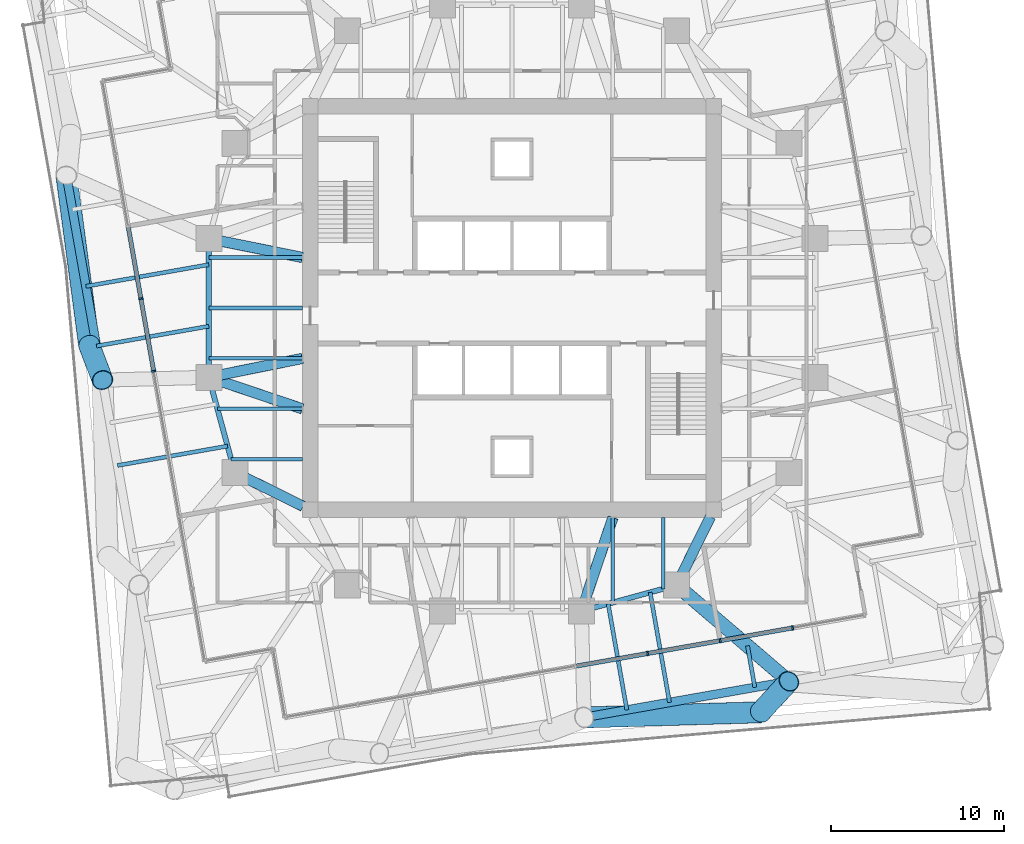
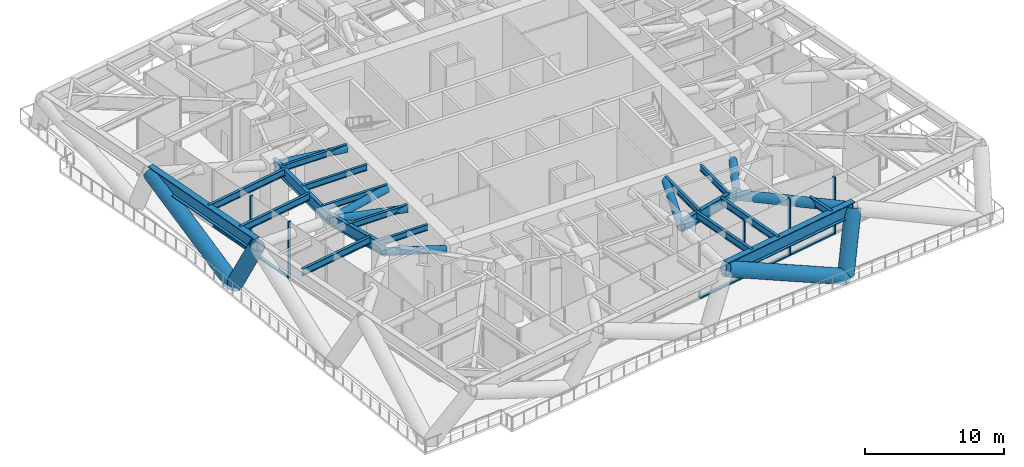
# One storey, part 3 of 15: 21 members, 18 beams, 2 elements without a shape of their own.
"""IFC4 building model written with IfcOpenShell, lengths in metres."""

from ifc_helpers import new_model, si_unit, direction, frame, origin, origin_2d, place, context, subcontext, project, spatial, rectangle, hollow_circle, i_section, extrude, material, material_profile, profile_set, type_object, element, aggregate, save


model = new_model("IFC4")

# Units and contexts
model_context = context("Model", 3, precision=1e-05, world=origin(), true_north=direction((0.0, 1.0)))
body_context = subcontext(model_context, "Body", "Model", "MODEL_VIEW")
ifc_project = project(units=[si_unit("LENGTHUNIT", "METRE"), si_unit("AREAUNIT", "SQUARE_METRE"), si_unit("VOLUMEUNIT", "CUBIC_METRE"), si_unit("PLANEANGLEUNIT", "RADIAN"), si_unit("MASSUNIT", "GRAM", prefix="KILO")], contexts=[model_context])

# Site, building, storey
site_placement = place(None, origin())
site = spatial("IfcSite", under=ifc_project, at=site_placement, CompositionType="ELEMENT")
building_placement = place(site_placement, origin())
building = spatial("IfcBuilding", under=site, at=building_placement, Name="Torsade Residences", CompositionType="ELEMENT")
storey_placement = place(building_placement, frame((0.0, 0.0, 74.39990234375)))
storey = spatial("IfcBuildingStorey", under=building, at=storey_placement, Name="L20", CompositionType="ELEMENT", Elevation=74.39990234375)

# Beams
ifc_material_1 = material(Name="Steel grade 300", Category="steel")
ifc_material_profile_1 = material_profile(ifc_material_1, i_section(OverallWidth=0.208984375, OverallDepth=0.528076171875, WebThickness=0.009521484375, FlangeThickness=0.01318359375, FilletRadius=0.013916015625, at=origin_2d()), Name="530UB82.0")
ifc_profile_set_1 = profile_set([ifc_material_profile_1], Name="Steel grade 300")
beam_type_1 = type_object("IfcBeamType", Name="INNER FLOOR BEAM 530UB82.0", PredefinedType="JOIST", material=ifc_profile_set_1)
beam_1_placement = place(storey_placement, frame((48.737548828125, 17.89990234375, 4.586181640625), z_axis=(0.0, -1.0, 0.0), x_axis=(1.0, 0.0, 0.0)))
element("IfcBeam", 1, at=beam_1_placement, inside=storey, type_object=beam_type_1, Name="Inner floor beam IS01 L21", PredefinedType="JOIST", context=body_context, shape_type="SweptSolid", body=[
    extrude(i_section(OverallWidth=0.208984375, OverallDepth=0.528076171875, WebThickness=0.009521484375, FlangeThickness=0.01318359375, FilletRadius=0.013916015625, at=origin_2d()), origin(), (0.0, 0.0, 1.0), 4.10791015625),
])
beam_2_placement = place(storey_placement, frame((45.824951171875, 17.89990234375, 4.586181640625), z_axis=(0.0, -1.0, 0.0), x_axis=(1.0, 0.0, 0.0)))
element("IfcBeam", 2, at=beam_2_placement, inside=storey, type_object=beam_type_1, Name="Inner floor beam IS02 L21", PredefinedType="JOIST", context=body_context, shape_type="SweptSolid", body=[
    extrude(i_section(OverallWidth=0.208984375, OverallDepth=0.528076171875, WebThickness=0.009521484375, FlangeThickness=0.01318359375, FilletRadius=0.013916015625, at=origin_2d()), origin(), (0.0, 0.0, 1.0), 4.902099609375),
])
for number, where, z_axis, x_axis, name in (
    (3, (27.89990234375, 32.91259765625, 4.586181640625), (-1.0, 0.0, 0.0), (0.0, -1.0, 0.0), "Inner floor beam IW03 L21"),
    (4, (27.89990234375, 30.0, 4.586181640625), (-1.0, 0.0, 0.0), (0.0, -1.0, 0.0), "Inner floor beam IW04 L21"),
    (5, (27.89990234375, 27.08740234375, 4.586181640625), (-1.0, 0.0, 0.0), (0.0, -1.0, 0.0), "Inner floor beam IW05 L21"),
):
    element("IfcBeam", number, at=place(storey_placement, frame(where, z_axis=z_axis, x_axis=x_axis)), inside=storey, type_object=beam_type_1, Name=name, PredefinedType="JOIST", context=body_context, shape_type="SweptSolid", body=[
        extrude(i_section(OverallWidth=0.208984375, OverallDepth=0.528076171875, WebThickness=0.009521484375, FlangeThickness=0.01318359375, FilletRadius=0.013916015625, at=origin_2d()), origin(), (0.0, 0.0, 1.0), 5.39990234375),
    ])
beam_3_placement = place(storey_placement, frame((27.89990234375, 24.175048828125, 4.586181640625), z_axis=(-1.0, 0.0, 0.0), x_axis=(0.0, -1.0, 0.0)))
element("IfcBeam", 6, at=beam_3_placement, inside=storey, type_object=beam_type_1, Name="Inner floor beam IW06 L21", PredefinedType="JOIST", context=body_context, shape_type="SweptSolid", body=[
    extrude(i_section(OverallWidth=0.208984375, OverallDepth=0.528076171875, WebThickness=0.009521484375, FlangeThickness=0.01318359375, FilletRadius=0.013916015625, at=origin_2d()), origin(), (0.0, 0.0, 1.0), 4.902099609375),
])
beam_4_placement = place(storey_placement, frame((27.89990234375, 21.262451171875, 4.586181640625), z_axis=(-1.0, 0.0, 0.0), x_axis=(0.0, -1.0, 0.0)))
element("IfcBeam", 7, at=beam_4_placement, inside=storey, type_object=beam_type_1, Name="Inner floor beam IW07 L21", PredefinedType="JOIST", context=body_context, shape_type="SweptSolid", body=[
    extrude(i_section(OverallWidth=0.208984375, OverallDepth=0.528076171875, WebThickness=0.009521484375, FlangeThickness=0.01318359375, FilletRadius=0.013916015625, at=origin_2d()), origin(), (0.0, 0.0, 1.0), 4.10791015625),
])
ifc_material_2 = material(Name="Steel grade 300", Category="steel")
ifc_material_profile_2 = material_profile(ifc_material_2, i_section(OverallWidth=0.300048828125, OverallDepth=1.0, WebThickness=0.01611328125, FlangeThickness=0.028076171875, at=origin_2d()), Name="1000WB215")
ifc_profile_set_2 = profile_set([ifc_material_profile_2], Name="Steel grade 300")
beam_type_2 = type_object("IfcBeamType", Name="RING GIRDER 1000WB215", PredefinedType="BEAM", material=ifc_profile_set_2)
beam_5_placement = place(storey_placement, frame((22.5, 34.0, 4.35009765625), z_axis=(0.0, -1.0, 0.0), x_axis=(1.0, 0.0, 0.0)))
element("IfcBeam", 8, at=beam_5_placement, inside=storey, type_object=beam_type_2, Name="Ring girder IR09 L21", PredefinedType="BEAM", context=body_context, shape_type="SweptSolid", body=[
    extrude(i_section(OverallWidth=0.300048828125, OverallDepth=1.0, WebThickness=0.01611328125, FlangeThickness=0.028076171875, at=origin_2d()), origin(), (0.0, 0.0, 1.0), 8.0),
])
for number, where, z_axis, x_axis, name in (
    (9, (22.5, 26.0, 4.35009765625), (0.263117405792, -0.964763821238, 0.0), (0.964763821238, 0.263117405792, 0.0), "Ring girder IR10 L21"),
    (10, (44.0, 12.5, 4.35009765625), (0.964763821238, 0.263117405792, 0.0), (-0.263117405792, 0.964763821238, 0.0), "Ring girder IR14 L21"),
):
    element("IfcBeam", number, at=place(storey_placement, frame(where, z_axis=z_axis, x_axis=x_axis)), inside=storey, type_object=beam_type_2, Name=name, PredefinedType="BEAM", context=body_context, shape_type="SweptSolid", body=[
        extrude(i_section(OverallWidth=0.300048828125, OverallDepth=1.0, WebThickness=0.01611328125, FlangeThickness=0.028076171875, at=origin_2d()), origin(), (0.0, 0.0, 1.0), 5.700927734375),
    ])
ifc_material_3 = material(Name="Steel grade 300", Category="steel")
ifc_material_profile_3 = material_profile(ifc_material_3, i_section(OverallWidth=0.22900390625, OverallDepth=0.612060546875, WebThickness=0.011962890625, FlangeThickness=0.01953125, FilletRadius=0.013916015625, at=origin_2d()), Name="610UB125")
ifc_profile_set_3 = profile_set([ifc_material_profile_3], Name="Steel grade 300")
beam_type_3 = type_object("IfcBeamType", Name="SECONDARY BEAM 610UB125", PredefinedType="JOIST", material=ifc_profile_set_3)
beam_6_placement = place(storey_placement, frame((46.629638671875, 6.798828125, 4.544189453125), z_axis=(-0.173655425542, 0.984806474989, 0.0), x_axis=(-0.984806474989, -0.173655425542, 0.0)))
element("IfcBeam", 11, at=beam_6_placement, inside=storey, type_object=beam_type_3, Name="Floor beam FS07 L21", PredefinedType="JOIST", context=body_context, shape_type="SweptSolid", body=[
    extrude(i_section(OverallWidth=0.22900390625, OverallDepth=0.612060546875, WebThickness=0.011962890625, FlangeThickness=0.01953125, FilletRadius=0.013916015625, at=origin_2d()), origin(), (0.0, 0.0, 1.0), 6.21826171875),
])
beam_7_placement = place(storey_placement, frame((49.091552734375, 7.23291015625, 4.544189453125), z_axis=(-0.17363198078, 0.984810608823, 0.0), x_axis=(-0.984810608823, -0.17363198078, 0.0)))
element("IfcBeam", 12, at=beam_7_placement, inside=storey, type_object=beam_type_3, Name="Floor beam FS08 L21", PredefinedType="JOIST", context=body_context, shape_type="SweptSolid", body=[
    extrude(i_section(OverallWidth=0.22900390625, OverallDepth=0.612060546875, WebThickness=0.011962890625, FlangeThickness=0.01953125, FilletRadius=0.013916015625, at=origin_2d()), origin(), (0.0, 0.0, 1.0), 6.4482421875),
])
beam_8_placement = place(storey_placement, frame((54.015625, 8.10107421875, 4.544189453125), z_axis=(-0.173687967535, 0.984800736156, 0.0), x_axis=(-0.984800736156, -0.173687967535, 0.0)))
element("IfcBeam", 13, at=beam_8_placement, inside=storey, type_object=beam_type_3, Name="Floor beam FS09 L21", PredefinedType="JOIST", context=body_context, shape_type="SweptSolid", body=[
    extrude(i_section(OverallWidth=0.22900390625, OverallDepth=0.612060546875, WebThickness=0.011962890625, FlangeThickness=0.01953125, FilletRadius=0.013916015625, at=origin_2d()), origin(), (0.0, 0.0, 1.0), 2.431640625),
])
beam_9_placement = place(storey_placement, frame((15.40966796875, 31.248779296875, 4.544189453125), z_axis=(0.984807104535, 0.173651855324, 0.0), x_axis=(-0.173651855324, 0.984807104535, 0.0)))
element("IfcBeam", 14, at=beam_9_placement, inside=storey, type_object=beam_type_3, Name="Floor beam FW05 L21", PredefinedType="JOIST", context=body_context, shape_type="SweptSolid", body=[
    extrude(i_section(OverallWidth=0.22900390625, OverallDepth=0.612060546875, WebThickness=0.011962890625, FlangeThickness=0.01953125, FilletRadius=0.013916015625, at=origin_2d()), origin(), (0.0, 0.0, 1.0), 7.19970703125),
])
beam_10_placement = place(storey_placement, frame((16.017333984375, 27.802001953125, 4.544189453125), z_axis=(0.984807818459, 0.173647806501, 0.0), x_axis=(-0.173647806501, 0.984807818459, 0.0)))
element("IfcBeam", 15, at=beam_10_placement, inside=storey, type_object=beam_type_3, Name="Floor beam FW06 L21", PredefinedType="JOIST", context=body_context, shape_type="SweptSolid", body=[
    extrude(i_section(OverallWidth=0.22900390625, OverallDepth=0.612060546875, WebThickness=0.011962890625, FlangeThickness=0.01953125, FilletRadius=0.013916015625, at=origin_2d()), origin(), (0.0, 0.0, 1.0), 6.582763671875),
])
beam_11_placement = place(storey_placement, frame((17.23291015625, 20.908447265625, 4.544189453125), z_axis=(0.984810608823, 0.17363198078, 0.0), x_axis=(-0.17363198078, 0.984810608823, 0.0)))
element("IfcBeam", 16, at=beam_11_placement, inside=storey, type_object=beam_type_3, Name="Floor beam FW08 L21", PredefinedType="JOIST", context=body_context, shape_type="SweptSolid", body=[
    extrude(i_section(OverallWidth=0.22900390625, OverallDepth=0.612060546875, WebThickness=0.011962890625, FlangeThickness=0.01953125, FilletRadius=0.013916015625, at=origin_2d()), origin(), (0.0, 0.0, 1.0), 6.4482421875),
])

# Members
ifc_material_4 = material(Name="Steel grade 450", Category="steel")
ifc_material_profile_4 = material_profile(ifc_material_4, hollow_circle(Radius=0.304931640625, WallThickness=0.01611328125, at=origin_2d()), Name="610.0x16.0CHS")
ifc_profile_set_4 = profile_set([ifc_material_profile_4], Name="Steel grade 450")
member_type_1 = type_object("IfcMemberType", Name="TRANSFER FLOOR BRACE 610.0x16.0CHS", PredefinedType="BRACE", material=ifc_profile_set_4)
for number, where, z_axis, x_axis, name in (
    (17, (22.5, 34.0, 4.25), (0.97976207845, -0.197299045909, 0.03375434957), (0.197411538983, 0.980320704809, 0.0), "Transfer floor brace TT2 top IR09IW03"),
    (18, (22.5, 26.0, 4.25), (0.97976207845, 0.197299045909, 0.03375434957), (-0.197411538983, 0.980320704809, 0.0), "Transfer floor brace TT2 top IR10IW05"),
):
    element("IfcMember", number, at=place(storey_placement, frame(where, z_axis=z_axis, x_axis=x_axis)), inside=storey, type_object=member_type_1, Name=name, PredefinedType="BRACE", context=body_context, shape_type="SweptSolid", body=[
        extrude(hollow_circle(Radius=0.304931640625, WallThickness=0.01611328125, at=origin_2d()), origin(), (0.0, 0.0, 1.0), 5.511474609375),
    ])
member_1_placement = place(storey_placement, frame((22.5, 26.0, 4.25), z_axis=(0.946855969774, -0.319999474368, 0.032620682203), x_axis=(0.320169867513, 0.947360151124, 0.0)))
element("IfcMember", 19, at=member_1_placement, inside=storey, type_object=member_type_1, Name="Transfer floor brace TT2 top IR10IW06", PredefinedType="BRACE", context=body_context, shape_type="SweptSolid", body=[
    extrude(hollow_circle(Radius=0.304931640625, WallThickness=0.01611328125, at=origin_2d()), origin(), (0.0, 0.0, 1.0), 5.702880859375),
])
member_2_placement = place(storey_placement, frame((24.0, 20.5, 4.25), z_axis=(0.896469701914, -0.443105036702, 0.0), x_axis=(0.443105036702, 0.896469701914, 0.0)))
element("IfcMember", 20, at=member_2_placement, inside=storey, type_object=member_type_1, Name="Transfer floor brace TT2 top IR11C", PredefinedType="BRACE", context=body_context, shape_type="SweptSolid", body=[
    extrude(hollow_circle(Radius=0.304931640625, WallThickness=0.01611328125, at=origin_2d()), origin(), (0.0, 0.0, 1.0), 4.40234375),
])
member_3_placement = place(storey_placement, frame((44.0, 12.5, 4.25), z_axis=(0.319999474368, 0.946855969774, 0.032620682203), x_axis=(-0.947360151124, 0.320169867513, 0.0)))
element("IfcMember", 21, at=member_3_placement, inside=storey, type_object=member_type_1, Name="Transfer floor brace TT2 top IR14IS02", PredefinedType="BRACE", context=body_context, shape_type="SweptSolid", body=[
    extrude(hollow_circle(Radius=0.304931640625, WallThickness=0.01611328125, at=origin_2d()), origin(), (0.0, 0.0, 1.0), 5.702880859375),
])
member_4_placement = place(storey_placement, frame((49.5, 14.0, 4.25), z_axis=(0.443105036702, 0.896469701914, 0.0), x_axis=(-0.896469701914, 0.443105036702, 0.0)))
element("IfcMember", 22, at=member_4_placement, inside=storey, type_object=member_type_1, Name="Transfer floor brace TT2 top IR15C", PredefinedType="BRACE", context=body_context, shape_type="SweptSolid", body=[
    extrude(hollow_circle(Radius=0.304931640625, WallThickness=0.01611328125, at=origin_2d()), origin(), (0.0, 0.0, 1.0), 4.40234375),
])
ifc_material_5 = material(Name="Steel grade 450", Category="steel")
ifc_material_profile_5 = material_profile(ifc_material_5, hollow_circle(Radius=0.406494140625, WallThickness=0.02490234375, at=origin_2d()), Name="813.0x25.0CHS")
ifc_profile_set_5 = profile_set([ifc_material_profile_5], Name="Steel grade 450")
member_type_2 = type_object("IfcMemberType", Name="TRANSFER FLOOR STRUT 813.0x25.0CHS", PredefinedType="STRUT", material=ifc_profile_set_5)
member_5_placement = place(storey_placement, frame((55.9853515625, 8.448486328125, 4.25), z_axis=(-0.759682384585, 0.650294298415, 0.0), x_axis=(-0.650294298415, -0.759682384585, 0.0)))
element("IfcMember", 23, at=member_5_placement, inside=storey, type_object=member_type_2, Name="Transfer floor strut TT2 top 04IR15", PredefinedType="STRUT", context=body_context, shape_type="SweptSolid", body=[
    extrude(hollow_circle(Radius=0.406494140625, WallThickness=0.02490234375, at=origin_2d()), origin(), (0.0, 0.0, 1.0), 8.536865234375),
])

# Curtain wall, members
ifc_material_6 = material(Name="Aluminium and glass", Category="aluminium")
curtain_wall_type = type_object("IfcCurtainWallType", Name="TRANSFER LEVEL CURTAIN WALL LOW ZONE", PredefinedType="NOTDEFINED", material=ifc_material_6)
curtain_wall_1_placement = place(storey_placement, origin())
curtain_wall_1 = element("IfcCurtainWall", 24, at=curtain_wall_1_placement, inside=storey, type_object=curtain_wall_type, Name="Curtain wall L20 face 1", PredefinedType="NOTDEFINED")
ifc_material_7 = material(Name="Aluminium mullion", Category="aluminium")
ifc_material_profile_6 = material_profile(ifc_material_7, rectangle(XDim=0.25, YDim=0.10009765625, at=origin_2d()), Name="TRANSFER LEVEL CURTAIN WALL MULLION 250x100")
ifc_profile_set_6 = profile_set([ifc_material_profile_6], Name="Aluminium mullion")
member_type_3 = type_object("IfcMemberType", Name="TRANSFER LEVEL CURTAIN WALL MULLION 250x100", PredefinedType="MULLION", material=ifc_profile_set_6)
member_6_placement = place(storey_placement, frame((47.83203125, 10.05712890625, 0.0), z_axis=(0.0, 0.0, 1.0), x_axis=(-0.173648174504, 0.98480775357, 0.0)))
member_6 = element("IfcMember", 25, at=member_6_placement, type_object=member_type_3, Name="Mullion 6", PredefinedType="MULLION", context=body_context, shape_type="SweptSolid", body=[
    extrude(rectangle(XDim=0.25, YDim=0.10009765625, at=origin_2d()), origin(), (0.0, 0.0, 1.0), 5.0),
])
member_7_placement = place(storey_placement, frame((52.017578125, 10.795166015625, 0.0), z_axis=(0.0, 0.0, 1.0), x_axis=(-0.173648174504, 0.98480775357, 0.0)))
member_7 = element("IfcMember", 26, at=member_7_placement, type_object=member_type_3, Name="Mullion 7", PredefinedType="MULLION", context=body_context, shape_type="SweptSolid", body=[
    extrude(rectangle(XDim=0.25, YDim=0.10009765625, at=origin_2d()), origin(), (0.0, 0.0, 1.0), 5.0),
])
member_8_placement = place(storey_placement, frame((56.202880859375, 11.532958984375, 0.0), z_axis=(0.0, 0.0, 1.0), x_axis=(-0.173648174504, 0.98480775357, 0.0)))
member_8 = element("IfcMember", 27, at=member_8_placement, type_object=member_type_3, Name="Mullion 8", PredefinedType="MULLION", context=body_context, shape_type="SweptSolid", body=[
    extrude(rectangle(XDim=0.25, YDim=0.10009765625, at=origin_2d()), origin(), (0.0, 0.0, 1.0), 5.0),
])

curtain_wall_2_placement = place(storey_placement, origin())
curtain_wall_2 = element("IfcCurtainWall", 28, at=curtain_wall_2_placement, inside=storey, type_object=curtain_wall_type, Name="Curtain wall L20 face 10", PredefinedType="NOTDEFINED")
member_9_placement = place(storey_placement, frame((18.5810546875, 30.538818359375, 0.0), z_axis=(0.0, 0.0, 1.0), x_axis=(0.98480775357, 0.173648174504, 0.0)))
member_9 = element("IfcMember", 29, at=member_9_placement, type_object=member_type_3, Name="Mullion 4", PredefinedType="MULLION", context=body_context, shape_type="SweptSolid", body=[
    extrude(rectangle(XDim=0.25, YDim=0.10009765625, at=origin_2d()), origin(), (0.0, 0.0, 1.0), 5.0),
])
member_10_placement = place(storey_placement, frame((19.319091796875, 26.353271484375, 0.0), z_axis=(0.0, 0.0, 1.0), x_axis=(0.98480775357, 0.173648174504, 0.0)))
member_10 = element("IfcMember", 30, at=member_10_placement, type_object=member_type_3, Name="Mullion 5", PredefinedType="MULLION", context=body_context, shape_type="SweptSolid", body=[
    extrude(rectangle(XDim=0.25, YDim=0.10009765625, at=origin_2d()), origin(), (0.0, 0.0, 1.0), 5.0),
])

# Member
ifc_material_8 = material(Name="Aluminium transom", Category="aluminium")
ifc_material_profile_7 = material_profile(ifc_material_8, rectangle(XDim=0.25, YDim=0.1201171875, at=origin_2d()), Name="TRANSFER LEVEL CURTAIN WALL TRANSOM 250x120")
ifc_profile_set_7 = profile_set([ifc_material_profile_7], Name="Aluminium transom")
member_type_4 = type_object("IfcMemberType", Name="TRANSFER LEVEL CURTAIN WALL TRANSOM 250x120", PredefinedType="USERDEFINED", material=ifc_profile_set_7)
member_11_placement = place(storey_placement, frame((43.69580078125, 9.32763671875, 0.06005859375), z_axis=(0.984804872144, 0.173664515088, 0.0), x_axis=(-0.173664515088, 0.984804872144, 0.0)))
member_11 = element("IfcMember", 31, at=member_11_placement, type_object=member_type_4, Name="Transom 5.1", ObjectType="TRANSOM", PredefinedType="USERDEFINED", context=body_context, shape_type="SweptSolid", body=[
    extrude(rectangle(XDim=0.25, YDim=0.1201171875, at=origin_2d()), origin(), (0.0, 0.0, 1.0), 4.14990234375),
])

member_12_placement = place(storey_placement, frame((47.88134765625, 10.065673828125, 0.06005859375), z_axis=(0.984804872144, 0.173664515088, 0.0), x_axis=(-0.173664515088, 0.984804872144, 0.0)))
member_12 = element("IfcMember", 32, at=member_12_placement, type_object=member_type_4, Name="Transom 6.1", ObjectType="TRANSOM", PredefinedType="USERDEFINED", context=body_context, shape_type="SweptSolid", body=[
    extrude(rectangle(XDim=0.25, YDim=0.1201171875, at=origin_2d()), origin(), (0.0, 0.0, 1.0), 4.14990234375),
])

member_13_placement = place(storey_placement, frame((52.066650390625, 10.8037109375, 0.06005859375), z_axis=(0.984804872144, 0.173664515088, 0.0), x_axis=(-0.173664515088, 0.984804872144, 0.0)))
member_13 = element("IfcMember", 33, at=member_13_placement, type_object=member_type_4, Name="Transom 7.1", ObjectType="TRANSOM", PredefinedType="USERDEFINED", context=body_context, shape_type="SweptSolid", body=[
    extrude(rectangle(XDim=0.25, YDim=0.1201171875, at=origin_2d()), origin(), (0.0, 0.0, 1.0), 4.14990234375),
])

aggregate(curtain_wall_1, [member_6, member_7, member_8, member_11, member_12, member_13])

member_14_placement = place(storey_placement, frame((17.851806640625, 34.675048828125, 0.06005859375), z_axis=(0.173607459029, -0.984814931939, 0.0), x_axis=(0.984814931939, 0.173607459029, 0.0)))
member_14 = element("IfcMember", 34, at=member_14_placement, type_object=member_type_4, Name="Transom 3.1", ObjectType="TRANSOM", PredefinedType="USERDEFINED", context=body_context, shape_type="SweptSolid", body=[
    extrude(rectangle(XDim=0.25, YDim=0.1201171875, at=origin_2d()), origin(), (0.0, 0.0, 1.0), 4.14990234375),
])

member_15_placement = place(storey_placement, frame((18.589599609375, 30.489501953125, 0.06005859375), z_axis=(0.173664515088, -0.984804872144, 0.0), x_axis=(0.984804872144, 0.173664515088, 0.0)))
member_15 = element("IfcMember", 35, at=member_15_placement, type_object=member_type_4, Name="Transom 4.1", ObjectType="TRANSOM", PredefinedType="USERDEFINED", context=body_context, shape_type="SweptSolid", body=[
    extrude(rectangle(XDim=0.25, YDim=0.1201171875, at=origin_2d()), origin(), (0.0, 0.0, 1.0), 4.14990234375),
])

aggregate(curtain_wall_2, [member_9, member_10, member_14, member_15])

# Beams
ifc_material_9 = material(Name="Steel grade 350", Category="steel")
ifc_material_profile_8 = material_profile(ifc_material_9, i_section(OverallWidth=0.5, OverallDepth=1.199951171875, WebThickness=0.035888671875, FlangeThickness=0.06005859375, at=origin_2d()), Name="1200x500x60x36WPG")
ifc_profile_set_8 = profile_set([ifc_material_profile_8], Name="Steel grade 350")
beam_type_4 = type_object("IfcBeamType", Name="TRANSFER TRUSS CHORD 1200x500x60x36WPG", PredefinedType="USERDEFINED", material=ifc_profile_set_8)
beam_12_placement = place(storey_placement, frame((44.16748046875, 6.364501953125, 4.25), z_axis=(0.984805261243, 0.173662308598, 0.0), x_axis=(-0.173662308598, 0.984805261243, 0.0)))
element("IfcBeam", 36, at=beam_12_placement, inside=storey, type_object=beam_type_4, Name="Transfer truss TT2 top chord 03", ObjectType="TRANSFER TRUSS CHORD", PredefinedType="USERDEFINED", context=body_context, shape_type="SweptSolid", body=[
    extrude(i_section(OverallWidth=0.5, OverallDepth=1.199951171875, WebThickness=0.035888671875, FlangeThickness=0.06005859375, at=origin_2d()), origin(), (0.0, 0.0, 1.0), 12.000244140625),
])
beam_13_placement = place(storey_placement, frame((14.28076171875, 37.650146484375, 4.25), z_axis=(0.173646056486, -0.984808127031, 0.0), x_axis=(0.984808127031, 0.173646056486, 0.0)))
element("IfcBeam", 37, at=beam_13_placement, inside=storey, type_object=beam_type_4, Name="Transfer truss TT2 top chord 14", ObjectType="TRANSFER TRUSS CHORD", PredefinedType="USERDEFINED", context=body_context, shape_type="SweptSolid", body=[
    extrude(i_section(OverallWidth=0.5, OverallDepth=1.199951171875, WebThickness=0.035888671875, FlangeThickness=0.06005859375, at=origin_2d()), origin(), (0.0, 0.0, 1.0), 12.0),
])

# Members
ifc_material_10 = material(Name="Steel grade 450", Category="steel")
ifc_material_profile_9 = material_profile(ifc_material_10, hollow_circle(Radius=0.609619140625, WallThickness=0.0400390625, at=origin_2d()), Name="1219.0x40.0CHS")
ifc_profile_set_9 = profile_set([ifc_material_profile_9], Name="Steel grade 450")
member_type_5 = type_object("IfcMemberType", Name="TRANSFER TRUSS DIAGONAL 1219.0x40.0CHS", PredefinedType="BRACE", material=ifc_profile_set_9)
member_16_placement = place(storey_placement, frame((54.338623046875, 6.660888671875, -0.199951171875), z_axis=(-0.915828507263, -0.026687208848, 0.400681841576), x_axis=(0.029127598992, -0.999575701474, 0.0)))
element("IfcMember", 38, at=member_16_placement, inside=storey, type_object=member_type_5, Name="Transfer truss TT2 diagonal 03", PredefinedType="BRACE", context=body_context, shape_type="SweptSolid", body=[
    extrude(hollow_circle(Radius=0.609619140625, WallThickness=0.0400390625, at=origin_2d()), origin(), (0.0, 0.0, 1.0), 11.10595703125),
])
member_17_placement = place(storey_placement, frame((15.59326171875, 27.86474609375, -0.199951171875), z_axis=(-0.121196363135, 0.903584715554, 0.410908874789), x_axis=(-0.991124366863, -0.132937915627, 0.0)))
element("IfcMember", 39, at=member_17_placement, inside=storey, type_object=member_type_5, Name="Transfer truss TT2 diagonal 14", PredefinedType="BRACE", context=body_context, shape_type="SweptSolid", body=[
    extrude(hollow_circle(Radius=0.609619140625, WallThickness=0.0400390625, at=origin_2d()), origin(), (0.0, 0.0, 1.0), 10.82958984375),
])
ifc_material_11 = material(Name="Steel grade 450", Category="steel")
ifc_material_profile_10 = material_profile(ifc_material_11, hollow_circle(Radius=0.609619140625, WallThickness=0.0400390625, at=origin_2d()), Name="1219.0x40.0CHS")
ifc_profile_set_10 = profile_set([ifc_material_profile_10], Name="Steel grade 450")
member_type_6 = type_object("IfcMemberType", Name="TRANSFER TRUSS RAKING STRUT 1219.0x40.0CHS", PredefinedType="STRUT", material=ifc_profile_set_10)
member_18_placement = place(storey_placement, frame((54.338623046875, 6.660888671875, -0.199951171875), z_axis=(0.324770819742, 0.352553290164, 0.877627536167), x_axis=(-0.735492412967, 0.677532958954, 0.0)))
element("IfcMember", 40, at=member_18_placement, inside=storey, type_object=member_type_6, Name="Transfer truss TT2 raking strut 04", PredefinedType="STRUT", context=body_context, shape_type="SweptSolid", body=[
    extrude(hollow_circle(Radius=0.609619140625, WallThickness=0.0400390625, at=origin_2d()), origin(), (0.0, 0.0, 1.0), 5.0703125),
])
member_19_placement = place(storey_placement, frame((15.59326171875, 27.86474609375, -0.199951171875), z_axis=(0.155728837152, -0.410347211286, 0.89853419271), x_axis=(0.93493715047, 0.35481336597, 0.0)))
element("IfcMember", 41, at=member_19_placement, inside=storey, type_object=member_type_6, Name="Transfer truss TT2 raking strut 15", PredefinedType="STRUT", context=body_context, shape_type="SweptSolid", body=[
    extrude(hollow_circle(Radius=0.609619140625, WallThickness=0.0400390625, at=origin_2d()), origin(), (0.0, 0.0, 1.0), 4.952392578125),
])

save(model, "model.ifc")
